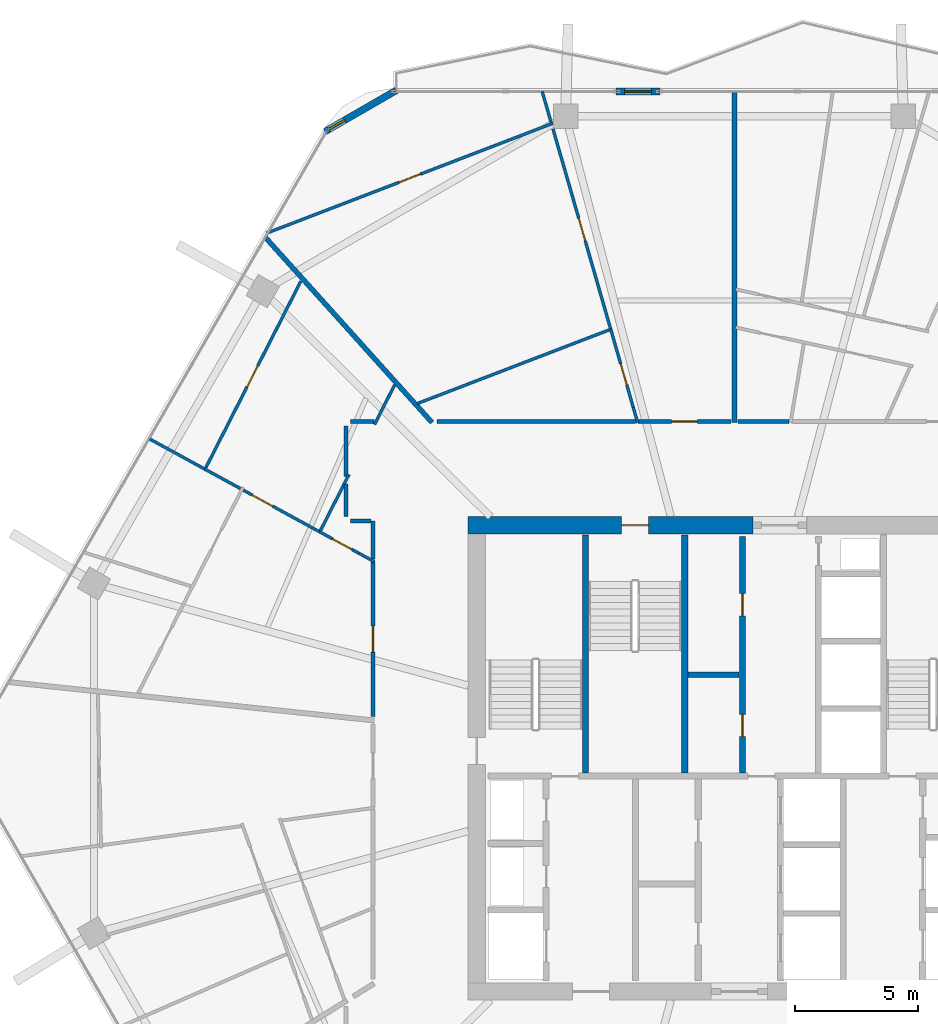
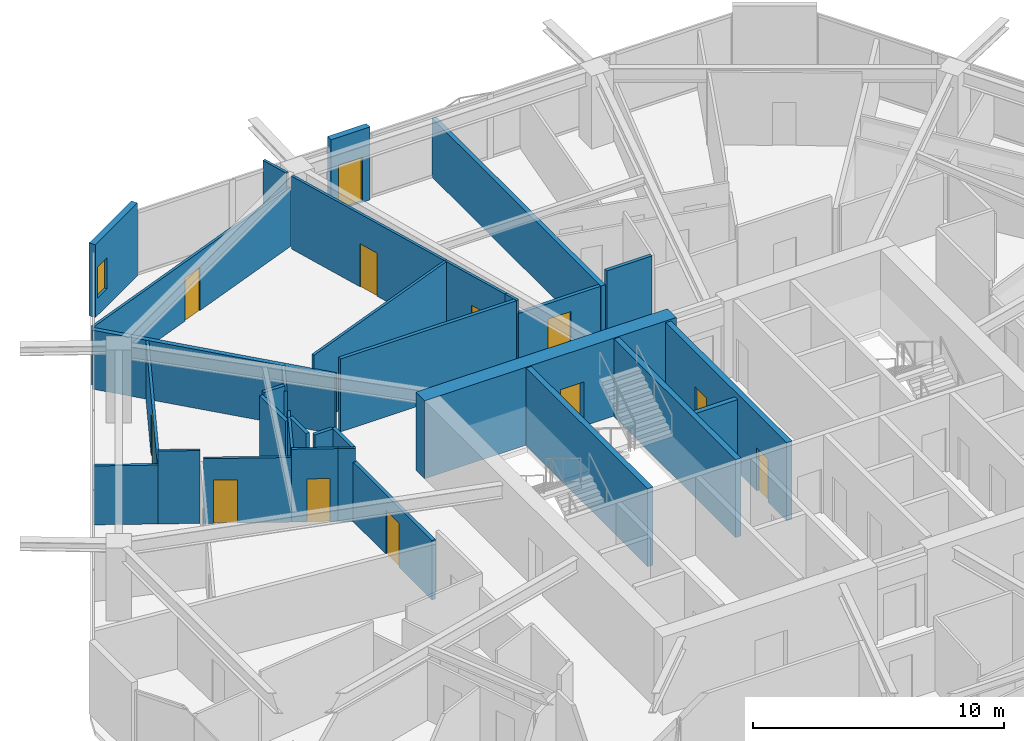
# One storey, part 20 of 25: 32 walls, 12 doors, 1 window, 13 openings.
"""IFC4 building model written with IfcOpenShell, lengths in metres."""

from ifc_helpers import new_model, si_unit, direction, frame, frame_2d, origin, place, context, subcontext, project, spatial, rectangle, extrude, material, layer, layer_set, type_object, element, fill, save


model = new_model("IFC4")

# Units and contexts
model_context = context("Model", 3, precision=1e-05, world=origin(), true_north=direction((0.0, 1.0)))
body_context = subcontext(model_context, "Body", "Model", "MODEL_VIEW")
ifc_project = project(units=[si_unit("LENGTHUNIT", "METRE"), si_unit("AREAUNIT", "SQUARE_METRE"), si_unit("VOLUMEUNIT", "CUBIC_METRE"), si_unit("PLANEANGLEUNIT", "RADIAN"), si_unit("MASSUNIT", "GRAM", prefix="KILO")], contexts=[model_context])

# Site, building, storey
site_placement = place(None, origin())
site = spatial("IfcSite", under=ifc_project, at=site_placement, CompositionType="ELEMENT")
building_placement = place(site_placement, origin())
building = spatial("IfcBuilding", under=site, at=building_placement, Name="Zuhravey Tower", CompositionType="ELEMENT")
storey_placement = place(building_placement, frame((0.0, 0.0, 150.39990234375)))
storey = spatial("IfcBuildingStorey", under=building, at=storey_placement, Name="L37", CompositionType="ELEMENT", Elevation=150.39990234375)

# Wall, opening, door
ifc_material_1 = material(Name="Concrete C60/75", Category="concrete")
ifc_layer_1 = layer(ifc_material_1, 0.699951171875)
ifc_layer_set_1 = layer_set([ifc_layer_1], Name="Concrete C60/75")
wall_type_1 = type_object("IfcWallType", Name="Core Shear Wall 700", PredefinedType="SHEAR", material=ifc_layer_set_1)
wall_1_placement = place(storey_placement, frame((36.75, 41.5, 0.0), z_axis=(0.0, 0.0, 1.0), x_axis=(-1.0, 0.0, 0.0)))
wall_1 = element("IfcWall", 1, at=wall_1_placement, inside=storey, type_object=wall_type_1, Name="L37 North-West Core Shear Wall CW70", PredefinedType="SHEAR", context=body_context, shape_type="SweptSolid", body=[
    extrude(rectangle(XDim=11.60009765625, YDim=0.699951171875, at=frame_2d((5.800048828125, 0.0))), origin(), (0.0, 0.0, 1.0), 3.800048828125),
])
opening_1_placement = place(wall_1_placement, frame((4.25, 0.0, 0.0)))
opening_1 = element("IfcOpeningElement", 2, at=opening_1_placement, cuts=wall_1, Name="Opening STD1", PredefinedType="OPENING", context=body_context, shape_type="SweptSolid", body=[
    extrude(rectangle(XDim=1.10009765625, YDim=2.14990234375, at=frame_2d((0.550048828125, 1.074951171875))), frame((0.0, 0.362060546875, 0.0), z_axis=(0.0, -1.0, 0.0), x_axis=(1.0, 0.0, 0.0)), (0.0, 0.0, 1.0), 0.723876953125),
])
ifc_material_2 = material(Name="Galvanised fire-rated steel leaf", Category="steel")
door_type_1 = type_object("IfcDoorType", Name="Protected Stair Fire Door 1100x2150", OperationType="NOTDEFINED", PredefinedType="USERDEFINED", material=ifc_material_2)
door_1_placement = place(opening_1_placement, origin())
door_1 = element("IfcDoor", 3, at=door_1_placement, inside=storey, type_object=door_type_1, Name="L37 Stair ST3 Door", ObjectType="EXITDOOR", OperationType="SINGLE_SWING_LEFT", OverallHeight=2.14990234375, OverallWidth=1.10009765625, PredefinedType="USERDEFINED", context=body_context, shape_type="SweptSolid", body=[
    extrude(rectangle(XDim=1.10009765625, YDim=2.14990234375, at=frame_2d((0.550048828125, 1.074951171875))), frame((0.0, 0.02490234375, 0.0), z_axis=(0.0, -1.0, 0.0), x_axis=(1.0, 0.0, 0.0)), (0.0, 0.0, 1.0), 0.050048828125),
])
fill(opening_1, door_1)

ifc_material_3 = material(Name="Gypsum fire-rated stud partition")
ifc_layer_2 = layer(ifc_material_3, 0.159912109375)
ifc_layer_set_2 = layer_set([ifc_layer_2], Name="Gypsum fire-rated stud partition")
wall_type_2 = type_object("IfcWallType", Name="Corridor Fire Partition 160", PredefinedType="PARTITIONING", material=ifc_layer_set_2)
wall_2_placement = place(storey_placement, frame((35.860107421875, 45.72998046875, 0.0), z_axis=(0.0, 0.0, 1.0), x_axis=(-1.0, 0.0, 0.0)))
wall_2 = element("IfcWall", 4, at=wall_2_placement, inside=storey, type_object=wall_type_2, Name="L37 IW16 Partition 031", PredefinedType="PARTITIONING", context=body_context, shape_type="SweptSolid", body=[
    extrude(rectangle(XDim=3.797119140625, YDim=0.159912109375, at=frame_2d((1.8984375, 0.0))), origin(), (0.0, 0.0, 1.0), 2.900146484375),
])
opening_2_placement = place(wall_2_placement, frame((1.37353515625, 0.0, 0.0)))
opening_2 = element("IfcOpeningElement", 5, at=opening_2_placement, cuts=wall_2, Name="Opening APD1", PredefinedType="OPENING", context=body_context, shape_type="SweptSolid", body=[
    extrude(rectangle(XDim=1.050048828125, YDim=2.14990234375, at=frame_2d((0.52490234375, 1.074951171875))), frame((0.0, 0.092041015625, 0.0), z_axis=(0.0, -1.0, 0.0), x_axis=(1.0, 0.0, 0.0)), (0.0, 0.0, 1.0), 0.183837890625),
])
ifc_material_4 = material(Name="Solid-core oak fire-rated leaf")
door_type_2 = type_object("IfcDoorType", Name="Apartment Entrance Fire Door 1050x2150", OperationType="NOTDEFINED", PredefinedType="DOOR", material=ifc_material_4)
door_2_placement = place(opening_2_placement, frame((1.050048828125, 0.0, 0.0), z_axis=(0.0, 0.0, 1.0), x_axis=(-1.0, 0.0, 0.0)))
door_2 = element("IfcDoor", 6, at=door_2_placement, inside=storey, type_object=door_type_2, Name="L37 Door 031.1", OperationType="SINGLE_SWING_RIGHT", OverallHeight=2.14990234375, OverallWidth=1.050048828125, PredefinedType="DOOR", context=body_context, shape_type="SweptSolid", body=[
    extrude(rectangle(XDim=1.050048828125, YDim=2.14990234375, at=frame_2d((0.52490234375, 1.074951171875))), frame((0.0, 0.02490234375, 0.0), z_axis=(0.0, -1.0, 0.0), x_axis=(1.0, 0.0, 0.0)), (0.0, 0.0, 1.0), 0.050048828125),
])
fill(opening_2, door_2)

wall_3_placement = place(storey_placement, frame((21.27001953125, 40.021484375, 0.0), z_axis=(0.0, 0.0, 1.0), x_axis=(0.0, -1.0, 0.0)))
wall_3 = element("IfcWall", 7, at=wall_3_placement, inside=storey, type_object=wall_type_2, Name="L37 IW16 Partition 037", PredefinedType="PARTITIONING", context=body_context, shape_type="SweptSolid", body=[
    extrude(rectangle(XDim=6.322998046875, YDim=0.159912109375, at=frame_2d((3.16162109375, 0.0))), origin(), (0.0, 0.0, 1.0), 2.900146484375),
])
opening_3_placement = place(wall_3_placement, frame((2.63671875, 0.0, 0.0)))
opening_3 = element("IfcOpeningElement", 8, at=opening_3_placement, cuts=wall_3, Name="Opening APD1", PredefinedType="OPENING", context=body_context, shape_type="SweptSolid", body=[
    extrude(rectangle(XDim=1.050048828125, YDim=2.14990234375, at=frame_2d((0.52490234375, 1.074951171875))), frame((0.0, 0.092041015625, 0.0), z_axis=(0.0, -1.0, 0.0), x_axis=(1.0, 0.0, 0.0)), (0.0, 0.0, 1.0), 0.183837890625),
])
door_3_placement = place(opening_3_placement, frame((1.050048828125, 0.0, 0.0), z_axis=(0.0, 0.0, 1.0), x_axis=(-1.0, 0.0, 0.0)))
door_3 = element("IfcDoor", 9, at=door_3_placement, inside=storey, type_object=door_type_2, Name="L37 Door 037.1", OperationType="SINGLE_SWING_RIGHT", OverallHeight=2.14990234375, OverallWidth=1.050048828125, PredefinedType="DOOR", context=body_context, shape_type="SweptSolid", body=[
    extrude(rectangle(XDim=1.050048828125, YDim=2.14990234375, at=frame_2d((0.52490234375, 1.074951171875))), frame((0.0, 0.02490234375, 0.0), z_axis=(0.0, -1.0, 0.0), x_axis=(1.0, 0.0, 0.0)), (0.0, 0.0, 1.0), 0.050048828125),
])
fill(opening_3, door_3)

# Walls
wall_4_placement = place(storey_placement, frame((38.228271484375, 45.72998046875, 0.0), z_axis=(0.0, 0.0, 1.0), x_axis=(-1.0, 0.0, 0.0)))
element("IfcWall", 10, at=wall_4_placement, inside=storey, type_object=wall_type_2, Name="L37 IW16 Partition 116", PredefinedType="PARTITIONING", context=body_context, shape_type="SweptSolid", body=[
    extrude(rectangle(XDim=2.08837890625, YDim=0.159912109375, at=frame_2d((1.044189453125, 0.0))), origin(), (0.0, 0.0, 1.0), 3.550048828125),
])
wall_5_placement = place(storey_placement, frame((31.971435546875, 45.72998046875, 0.0), z_axis=(0.0, 0.0, 1.0), x_axis=(-1.0, 0.0, 0.0)))
element("IfcWall", 11, at=wall_5_placement, inside=storey, type_object=wall_type_2, Name="L37 IW16 Partition 117", PredefinedType="PARTITIONING", context=body_context, shape_type="SweptSolid", body=[
    extrude(rectangle(XDim=8.092041015625, YDim=0.159912109375, at=frame_2d((4.0458984375, 0.0))), origin(), (0.0, 0.0, 1.0), 3.550048828125),
])
wall_6_placement = place(storey_placement, frame((21.27001953125, 41.669921875, 0.0), z_axis=(0.0, 0.0, 1.0), x_axis=(0.0, -1.0, 0.0)))
element("IfcWall", 12, at=wall_6_placement, inside=storey, type_object=wall_type_2, Name="L37 IW16 Partition 118", PredefinedType="PARTITIONING", context=body_context, shape_type="SweptSolid", body=[
    extrude(rectangle(XDim=1.548095703125, YDim=0.159912109375, at=frame_2d((0.77392578125, 0.0))), origin(), (0.0, 0.0, 1.0), 3.550048828125),
])
wall_7_placement = place(storey_placement, frame((20.169921875, 43.1865234375, 0.0), z_axis=(0.0, 0.0, 1.0), x_axis=(0.0, -1.0, 0.0)))
element("IfcWall", 13, at=wall_7_placement, inside=storey, type_object=wall_type_2, Name="L37 IW16 Partition 119", PredefinedType="PARTITIONING", context=body_context, shape_type="SweptSolid", body=[
    extrude(rectangle(XDim=1.33642578125, YDim=0.159912109375, at=frame_2d((0.668212890625, 0.0))), origin(), (0.0, 0.0, 1.0), 3.550048828125),
])
wall_8_placement = place(storey_placement, frame((20.35009765625, 41.669921875, 0.0), z_axis=(0.0, 0.0, 1.0), x_axis=(1.0, 0.0, 0.0)))
element("IfcWall", 14, at=wall_8_placement, inside=storey, type_object=wall_type_2, Name="L37 IW16 Partition 120", PredefinedType="PARTITIONING", context=body_context, shape_type="SweptSolid", body=[
    extrude(rectangle(XDim=0.831787109375, YDim=0.159912109375, at=frame_2d((0.416015625, 0.0))), origin(), (0.0, 0.0, 1.0), 3.550048828125),
])
wall_9_placement = place(storey_placement, frame((20.169921875, 45.550048828125, 0.0), z_axis=(0.0, 0.0, 1.0), x_axis=(0.0, -1.0, 0.0)))
element("IfcWall", 15, at=wall_9_placement, inside=storey, type_object=wall_type_2, Name="L37 IW16 Partition 121", PredefinedType="PARTITIONING", context=body_context, shape_type="SweptSolid", body=[
    extrude(rectangle(XDim=2.06396484375, YDim=0.159912109375, at=frame_2d((1.031982421875, 0.0))), origin(), (0.0, 0.0, 1.0), 3.150146484375),
])
wall_10_placement = place(storey_placement, frame((21.313232421875, 45.72998046875, 0.0), z_axis=(0.0, 0.0, 1.0), x_axis=(-1.0, 0.0, 0.0)))
element("IfcWall", 16, at=wall_10_placement, inside=storey, type_object=wall_type_2, Name="L37 IW16 Partition 122", PredefinedType="PARTITIONING", context=body_context, shape_type="SweptSolid", body=[
    extrude(rectangle(XDim=0.963134765625, YDim=0.159912109375, at=frame_2d((0.4814453125, 0.0))), origin(), (0.0, 0.0, 1.0), 3.150146484375),
])

# Wall, opening, window
ifc_material_5 = material(Name="Precast concrete C40/50", Category="concrete")
ifc_layer_3 = layer(ifc_material_5, 0.280029296875)
ifc_layer_set_3 = layer_set([ifc_layer_3], Name="Precast concrete C40/50")
wall_type_3 = type_object("IfcWallType", Name="Crown Architectural Wall 280", PredefinedType="SOLIDWALL", material=ifc_layer_set_3)
wall_11_placement = place(storey_placement, frame((19.306884765625, 57.548095703125, 0.0), z_axis=(0.0, 0.0, 1.0), x_axis=(0.866020068361, 0.500009241111, 0.0)))
wall_11 = element("IfcWall", 17, at=wall_11_placement, inside=storey, type_object=wall_type_3, Name="L37 Rounded Corner Closure Wall EW28-08", PredefinedType="SOLIDWALL", context=body_context, shape_type="SweptSolid", body=[
    extrude(rectangle(XDim=3.365234375, YDim=0.280029296875, at=frame_2d((1.6826171875, 0.0))), origin(), (0.0, 0.0, 1.0), 3.550048828125),
])
opening_4_placement = place(wall_11_placement, frame((0.17919921875, 0.0, 0.85009765625)))
opening_4 = element("IfcOpeningElement", 18, at=opening_4_placement, cuts=wall_11, Name="Opening WN5", PredefinedType="OPENING", context=body_context, shape_type="SweptSolid", body=[
    extrude(rectangle(XDim=0.75, YDim=1.5, at=frame_2d((0.375, 0.75))), frame((0.0, 0.152099609375, 0.0), z_axis=(0.0, -1.0, 0.0), x_axis=(1.0, 0.0, 0.0)), (0.0, 0.0, 1.0), 0.303955078125),
])
ifc_material_6 = material(Name="Thermally broken aluminium and triple low-E glass", Category="aluminium")
window_type = type_object("IfcWindowType", Name="Residential Corner Casement Window 750x1500", PartitioningType="SINGLE_PANEL", PredefinedType="WINDOW", material=ifc_material_6)
window_placement = place(opening_4_placement, origin())
window = element("IfcWindow", 19, at=window_placement, inside=storey, type_object=window_type, Name="L37 Corner Casement Window WN5-08.1", OverallHeight=1.5, OverallWidth=0.75, PartitioningType="SINGLE_PANEL", PredefinedType="WINDOW", context=body_context, shape_type="SweptSolid", body=[
    extrude(rectangle(XDim=0.75, YDim=1.5, at=frame_2d((0.375, 0.75))), frame((0.0, 0.030029296875, 0.0), z_axis=(0.0, -1.0, 0.0), x_axis=(1.0, 0.0, 0.0)), (0.0, 0.0, 1.0), 0.06005859375),
])
fill(opening_4, window)

# Wall, opening, door
wall_12_placement = place(storey_placement, frame((31.17578125, 59.18310546875, 0.0), z_axis=(0.0, 0.0, 1.0), x_axis=(1.0, 0.0, 0.0)))
wall_12 = element("IfcWall", 20, at=wall_12_placement, inside=storey, type_object=wall_type_3, Name="L37 Face 2 Facade Pier EW28-1", PredefinedType="SOLIDWALL", context=body_context, shape_type="SweptSolid", body=[
    extrude(rectangle(XDim=1.7900390625, YDim=0.280029296875, at=frame_2d((0.89501953125, 0.0))), origin(), (0.0, 0.0, 1.0), 3.550048828125),
])
opening_5_placement = place(wall_12_placement, frame((0.344970703125, 0.0, 0.0)))
opening_5 = element("IfcOpeningElement", 21, at=opening_5_placement, cuts=wall_12, Name="Opening BLD1", PredefinedType="OPENING", context=body_context, shape_type="SweptSolid", body=[
    extrude(rectangle(XDim=1.10009765625, YDim=2.199951171875, at=frame_2d((0.550048828125, 1.10009765625))), frame((0.0, 0.152099609375, 0.0), z_axis=(0.0, -1.0, 0.0), x_axis=(1.0, 0.0, 0.0)), (0.0, 0.0, 1.0), 0.303955078125),
])
ifc_material_7 = material(Name="Thermally broken aluminium and low-E glass", Category="aluminium")
door_type_3 = type_object("IfcDoorType", Name="Balcony & Sky-Tray Glazed Door 1100x2200", OperationType="NOTDEFINED", PredefinedType="DOOR", material=ifc_material_7)
door_4_placement = place(opening_5_placement, frame((1.10009765625, 0.0, 0.0), z_axis=(0.0, 0.0, 1.0), x_axis=(-1.0, 0.0, 0.0)))
door_4 = element("IfcDoor", 22, at=door_4_placement, inside=storey, type_object=door_type_3, Name="L37 Face 2 Wave Balcony Door", OperationType="SINGLE_SWING_RIGHT", OverallHeight=2.199951171875, OverallWidth=1.10009765625, PredefinedType="DOOR", context=body_context, shape_type="SweptSolid", body=[
    extrude(rectangle(XDim=1.10009765625, YDim=2.199951171875, at=frame_2d((0.550048828125, 1.10009765625))), frame((0.0, 0.02490234375, 0.0), z_axis=(0.0, -1.0, 0.0), x_axis=(1.0, 0.0, 0.0)), (0.0, 0.0, 1.0), 0.050048828125),
])
fill(opening_5, door_4)

# Walls
ifc_material_8 = material(Name="Concrete C50/60", Category="concrete")
ifc_layer_4 = layer(ifc_material_8, 0.25)
ifc_layer_set_4 = layer_set([ifc_layer_4], Name="Concrete C50/60")
wall_type_4 = type_object("IfcWallType", Name="Firefighting Shaft & Stair Wall 250", PredefinedType="SOLIDWALL", material=ifc_layer_set_4)
for number, where, z_axis, x_axis, name in (
    (23, (29.925048828125, 31.39990234375, 0.0), (0.0, 0.0, 1.0), (0.0, 1.0, 0.0), "L37 FW25 Shaft Wall 004"),
    (24, (33.97509765625, 31.39990234375, 0.0), (0.0, 0.0, 1.0), (0.0, 1.0, 0.0), "L37 FW25 Shaft Wall 005"),
):
    element("IfcWall", number, at=place(storey_placement, frame(where, z_axis=z_axis, x_axis=x_axis)), inside=storey, type_object=wall_type_4, Name=name, PredefinedType="SOLIDWALL", context=body_context, shape_type="SweptSolid", body=[
        extrude(rectangle(XDim=9.7001953125, YDim=0.25, at=frame_2d((4.85009765625, 0.0))), origin(), (0.0, 0.0, 1.0), 3.800048828125),
    ])

# Wall, openings, doors
wall_13_placement = place(storey_placement, frame((36.324951171875, 31.39990234375, 0.0), z_axis=(0.0, 0.0, 1.0), x_axis=(0.0, 1.0, 0.0)))
wall_13 = element("IfcWall", 25, at=wall_13_placement, inside=storey, type_object=wall_type_4, Name="L37 FW25 Shaft Wall 007", PredefinedType="SOLIDWALL", context=body_context, shape_type="SweptSolid", body=[
    extrude(rectangle(XDim=9.650146484375, YDim=0.25, at=frame_2d((4.8251953125, 0.0))), origin(), (0.0, 0.0, 1.0), 3.800048828125),
])
opening_6_placement = place(wall_13_placement, frame((1.489990234375, 0.0, 0.0)))
opening_6 = element("IfcOpeningElement", 26, at=opening_6_placement, cuts=wall_13, Name="Opening RSD1", PredefinedType="OPENING", context=body_context, shape_type="SweptSolid", body=[
    extrude(rectangle(XDim=0.89990234375, YDim=2.10009765625, at=frame_2d((0.449951171875, 1.050048828125))), frame((0.0, 0.136962890625, 0.0), z_axis=(0.0, -1.0, 0.0), x_axis=(1.0, 0.0, 0.0)), (0.0, 0.0, 1.0), 0.27392578125),
])
opening_7_placement = place(wall_13_placement, frame((6.409912109375, 0.0, 0.0)))
opening_7 = element("IfcOpeningElement", 27, at=opening_7_placement, cuts=wall_13, Name="Opening RSD1", PredefinedType="OPENING", context=body_context, shape_type="SweptSolid", body=[
    extrude(rectangle(XDim=0.89990234375, YDim=2.10009765625, at=frame_2d((0.449951171875, 1.050048828125))), frame((0.0, 0.136962890625, 0.0), z_axis=(0.0, -1.0, 0.0), x_axis=(1.0, 0.0, 0.0)), (0.0, 0.0, 1.0), 0.27392578125),
])
ifc_material_9 = material(Name="Galvanised fire-rated steel access leaf", Category="steel")
door_type_4 = type_object("IfcDoorType", Name="Riser & Shaft Access Fire Door 900x2100", OperationType="NOTDEFINED", PredefinedType="DOOR", material=ifc_material_9)
door_5_placement = place(opening_6_placement, origin())
door_5 = element("IfcDoor", 28, at=door_5_placement, inside=storey, type_object=door_type_4, Name="L37 Core Cleaner Store Door", OperationType="SINGLE_SWING_LEFT", OverallHeight=2.10009765625, OverallWidth=0.89990234375, PredefinedType="DOOR", context=body_context, shape_type="SweptSolid", body=[
    extrude(rectangle(XDim=0.89990234375, YDim=2.10009765625, at=frame_2d((0.449951171875, 1.050048828125))), frame((0.0, 0.02490234375, 0.0), z_axis=(0.0, -1.0, 0.0), x_axis=(1.0, 0.0, 0.0)), (0.0, 0.0, 1.0), 0.050048828125),
])
fill(opening_6, door_5)
door_6_placement = place(opening_7_placement, origin())
door_6 = element("IfcDoor", 29, at=door_6_placement, inside=storey, type_object=door_type_4, Name="L37 Core Pantry and Tea Room Door", OperationType="SINGLE_SWING_RIGHT", OverallHeight=2.10009765625, OverallWidth=0.89990234375, PredefinedType="DOOR", context=body_context, shape_type="SweptSolid", body=[
    extrude(rectangle(XDim=0.89990234375, YDim=2.10009765625, at=frame_2d((0.449951171875, 1.050048828125))), frame((0.0, 0.02490234375, 0.0), z_axis=(0.0, -1.0, 0.0), x_axis=(1.0, 0.0, 0.0)), (0.0, 0.0, 1.0), 0.050048828125),
])
fill(opening_7, door_6)

# Walls
ifc_material_10 = material(Name="Gypsum double-stud party assembly")
ifc_layer_5 = layer(ifc_material_10, 0.199951171875)
ifc_layer_set_5 = layer_set([ifc_layer_5], Name="Gypsum double-stud party assembly")
wall_type_5 = type_object("IfcWallType", Name="Inter-Tenancy Party Wall 200", PredefinedType="PARTITIONING", material=ifc_layer_set_5)
wall_14_placement = place(storey_placement, frame((36.0, 45.68994140625, 0.0), z_axis=(0.0, 0.0, 1.0), x_axis=(0.0, 1.0, 0.0)))
element("IfcWall", 30, at=wall_14_placement, inside=storey, type_object=wall_type_5, Name="L37 IW20 Partition 075", PredefinedType="PARTITIONING", context=body_context, shape_type="SweptSolid", body=[
    extrude(rectangle(XDim=13.4931640625, YDim=0.199951171875, at=frame_2d((6.74658203125, 0.0))), origin(), (0.0, 0.0, 1.0), 2.8701171875),
])
wall_15_placement = place(storey_placement, frame((23.673583984375, 45.68994140625, 0.0), z_axis=(0.0, 0.0, 1.0), x_axis=(-0.669133315117, 0.743142386492, 0.0)))
element("IfcWall", 31, at=wall_15_placement, inside=storey, type_object=wall_type_5, Name="L37 IW20 Partition 079", PredefinedType="PARTITIONING", context=body_context, shape_type="SweptSolid", body=[
    extrude(rectangle(XDim=10.160400390625, YDim=0.199951171875, at=frame_2d((5.080078125, 0.0))), origin(), (0.0, 0.0, 1.0), 2.8701171875),
])
ifc_material_11 = material(Name="Gypsum acoustic stud assembly")
ifc_layer_6 = layer(ifc_material_11, 0.219970703125)
ifc_layer_set_6 = layer_set([ifc_layer_6], Name="Gypsum acoustic stud assembly")
wall_type_6 = type_object("IfcWallType", Name="School Acoustic Compartment Wall 220", PredefinedType="PARTITIONING", material=ifc_layer_set_6)
wall_16_placement = place(storey_placement, frame((34.10791015625, 35.39990234375, 0.0), z_axis=(0.0, 0.0, 1.0), x_axis=(1.0, 0.0, 0.0)))
element("IfcWall", 32, at=wall_16_placement, inside=storey, type_object=wall_type_6, Name="L37 IW22 Partition 056", PredefinedType="PARTITIONING", context=body_context, shape_type="SweptSolid", body=[
    extrude(rectangle(XDim=2.083984375, YDim=0.219970703125, at=frame_2d((1.0419921875, 0.0))), origin(), (0.0, 0.0, 1.0), 3.550048828125),
])

# Wall, opening, door
ifc_material_12 = material(Name="Gypsum metal-stud partition")
ifc_layer_7 = layer(ifc_material_12, 0.1201171875)
ifc_layer_set_7 = layer_set([ifc_layer_7], Name="Gypsum metal-stud partition")
wall_type_7 = type_object("IfcWallType", Name="Unit Internal Partition 120", PredefinedType="PARTITIONING", material=ifc_layer_set_7)
wall_17_placement = place(storey_placement, frame((31.8779296875, 46.300048828125, 0.0), z_axis=(0.0, 0.0, 1.0), x_axis=(-0.276948054291, 0.960884891766, 0.0)))
wall_17 = element("IfcWall", 33, at=wall_17_placement, inside=storey, type_object=wall_type_7, Name="L37 IW12 Partition 028", PredefinedType="PARTITIONING", context=body_context, shape_type="SweptSolid", body=[
    extrude(rectangle(XDim=3.34375, YDim=0.1201171875, at=frame_2d((1.671875, 0.0))), origin(), (0.0, 0.0, 1.0), 3.550048828125),
])
opening_8_placement = place(wall_17_placement, frame((0.954345703125, 0.0, 0.0)))
opening_8 = element("IfcOpeningElement", 34, at=opening_8_placement, cuts=wall_17, Name="Opening WCD1", PredefinedType="OPENING", context=body_context, shape_type="SweptSolid", body=[
    extrude(rectangle(XDim=0.89990234375, YDim=2.10009765625, at=frame_2d((0.449951171875, 1.050048828125))), frame((0.0, 0.072021484375, 0.0), z_axis=(0.0, -1.0, 0.0), x_axis=(1.0, 0.0, 0.0)), (0.0, 0.0, 1.0), 0.14404296875),
])
ifc_material_13 = material(Name="Moisture-resistant timber leaf", Category="wood")
door_type_5 = type_object("IfcDoorType", Name="Bathroom & WC Internal Door 900x2100", OperationType="NOTDEFINED", PredefinedType="DOOR", material=ifc_material_13)
door_7_placement = place(opening_8_placement, origin())
door_7 = element("IfcDoor", 35, at=door_7_placement, inside=storey, type_object=door_type_5, Name="Apartment L37-03 Bathroom Door", OperationType="SINGLE_SWING_LEFT", OverallHeight=2.10009765625, OverallWidth=0.89990234375, PredefinedType="DOOR", context=body_context, shape_type="SweptSolid", body=[
    extrude(rectangle(XDim=0.89990234375, YDim=2.10009765625, at=frame_2d((0.449951171875, 1.050048828125))), frame((0.0, 0.02490234375, 0.0), z_axis=(0.0, -1.0, 0.0), x_axis=(1.0, 0.0, 0.0)), (0.0, 0.0, 1.0), 0.050048828125),
])
fill(opening_8, door_7)

wall_18_placement = place(storey_placement, frame((30.95166015625, 49.512939453125, 0.0), z_axis=(0.0, 0.0, 1.0), x_axis=(-0.276962142179, 0.960880831217, 0.0)))
wall_18 = element("IfcWall", 36, at=wall_18_placement, inside=storey, type_object=wall_type_7, Name="L37 IW12 Partition 029", PredefinedType="PARTITIONING", context=body_context, shape_type="SweptSolid", body=[
    extrude(rectangle(XDim=8.471923828125, YDim=0.1201171875, at=frame_2d((4.23583984375, 0.0))), origin(), (0.0, 0.0, 1.0), 3.550048828125),
])
opening_9_placement = place(wall_18_placement, frame((3.736083984375, 0.0, 0.0)))
opening_9 = element("IfcOpeningElement", 37, at=opening_9_placement, cuts=wall_18, Name="Opening IND1", PredefinedType="OPENING", context=body_context, shape_type="SweptSolid", body=[
    extrude(rectangle(XDim=0.949951171875, YDim=2.10009765625, at=frame_2d((0.47509765625, 1.050048828125))), frame((0.0, 0.072021484375, 0.0), z_axis=(0.0, -1.0, 0.0), x_axis=(1.0, 0.0, 0.0)), (0.0, 0.0, 1.0), 0.14404296875),
])
ifc_material_14 = material(Name="Painted engineered timber leaf", Category="wood")
door_type_6 = type_object("IfcDoorType", Name="Internal Room & Bedroom Door 950x2100", OperationType="NOTDEFINED", PredefinedType="DOOR", material=ifc_material_14)
door_8_placement = place(opening_9_placement, origin())
door_8 = element("IfcDoor", 38, at=door_8_placement, inside=storey, type_object=door_type_6, Name="Apartment L37-03 Home Office Door", OperationType="SINGLE_SWING_RIGHT", OverallHeight=2.10009765625, OverallWidth=0.949951171875, PredefinedType="DOOR", context=body_context, shape_type="SweptSolid", body=[
    extrude(rectangle(XDim=0.949951171875, YDim=2.10009765625, at=frame_2d((0.47509765625, 1.050048828125))), frame((0.0, 0.02490234375, 0.0), z_axis=(0.0, -1.0, 0.0), x_axis=(1.0, 0.0, 0.0)), (0.0, 0.0, 1.0), 0.050048828125),
])
fill(opening_9, door_8)

wall_19_placement = place(storey_placement, frame((28.597900390625, 57.886474609375, 0.0), z_axis=(0.0, 0.0, 1.0), x_axis=(-0.933574508077, -0.358383367177, 0.0)))
wall_19 = element("IfcWall", 39, at=wall_19_placement, inside=storey, type_object=wall_type_7, Name="L37 IW12 Partition 030", PredefinedType="PARTITIONING", context=body_context, shape_type="SweptSolid", body=[
    extrude(rectangle(XDim=12.4970703125, YDim=0.1201171875, at=frame_2d((6.24853515625, 0.0))), origin(), (0.0, 0.0, 1.0), 2.8701171875),
])
opening_10_placement = place(wall_19_placement, frame((5.7734375, 0.0, 0.0)))
opening_10 = element("IfcOpeningElement", 40, at=opening_10_placement, cuts=wall_19, Name="Opening IND1", PredefinedType="OPENING", context=body_context, shape_type="SweptSolid", body=[
    extrude(rectangle(XDim=0.949951171875, YDim=2.10009765625, at=frame_2d((0.47509765625, 1.050048828125))), frame((0.0, 0.072021484375, 0.0), z_axis=(0.0, -1.0, 0.0), x_axis=(1.0, 0.0, 0.0)), (0.0, 0.0, 1.0), 0.14404296875),
])
door_9_placement = place(opening_10_placement, frame((0.949951171875, 0.0, 0.0), z_axis=(0.0, 0.0, 1.0), x_axis=(-1.0, 0.0, 0.0)))
door_9 = element("IfcDoor", 41, at=door_9_placement, inside=storey, type_object=door_type_6, Name="Apartment L37-03 Bedroom 1 Door", OperationType="SINGLE_SWING_LEFT", OverallHeight=2.10009765625, OverallWidth=0.949951171875, PredefinedType="DOOR", context=body_context, shape_type="SweptSolid", body=[
    extrude(rectangle(XDim=0.949951171875, YDim=2.10009765625, at=frame_2d((0.47509765625, 1.050048828125))), frame((0.0, 0.02490234375, 0.0), z_axis=(0.0, -1.0, 0.0), x_axis=(1.0, 0.0, 0.0)), (0.0, 0.0, 1.0), 0.050048828125),
])
fill(opening_10, door_9)

wall_20_placement = place(storey_placement, frame((20.699951171875, 40.355712890625, 0.0), z_axis=(0.0, 0.0, 1.0), x_axis=(-0.877673715659, 0.479258645035, 0.0)))
wall_20 = element("IfcWall", 42, at=wall_20_placement, inside=storey, type_object=wall_type_7, Name="L37 IW12 Partition 033", PredefinedType="PARTITIONING", context=body_context, shape_type="SweptSolid", body=[
    extrude(rectangle(XDim=1.851318359375, YDim=0.1201171875, at=frame_2d((0.92578125, 0.0))), origin(), (0.0, 0.0, 1.0), 3.550048828125),
])
opening_11_placement = place(wall_20_placement, frame((0.327392578125, 0.0, 0.0)))
opening_11 = element("IfcOpeningElement", 43, at=opening_11_placement, cuts=wall_20, Name="Opening WCD1", PredefinedType="OPENING", context=body_context, shape_type="SweptSolid", body=[
    extrude(rectangle(XDim=0.89990234375, YDim=2.10009765625, at=frame_2d((0.449951171875, 1.050048828125))), frame((0.0, 0.072021484375, 0.0), z_axis=(0.0, -1.0, 0.0), x_axis=(1.0, 0.0, 0.0)), (0.0, 0.0, 1.0), 0.14404296875),
])
door_10_placement = place(opening_11_placement, frame((0.89990234375, 0.0, 0.0), z_axis=(0.0, 0.0, 1.0), x_axis=(-1.0, 0.0, 0.0)))
door_10 = element("IfcDoor", 44, at=door_10_placement, inside=storey, type_object=door_type_5, Name="Apartment L37-04 Bathroom Door", OperationType="SINGLE_SWING_LEFT", OverallHeight=2.10009765625, OverallWidth=0.89990234375, PredefinedType="DOOR", context=body_context, shape_type="SweptSolid", body=[
    extrude(rectangle(XDim=0.89990234375, YDim=2.10009765625, at=frame_2d((0.449951171875, 1.050048828125))), frame((0.0, 0.02490234375, 0.0), z_axis=(0.0, -1.0, 0.0), x_axis=(1.0, 0.0, 0.0)), (0.0, 0.0, 1.0), 0.050048828125),
])
fill(opening_11, door_10)

wall_21_placement = place(storey_placement, frame((19.0751953125, 41.242919921875, 0.0), z_axis=(0.0, 0.0, 1.0), x_axis=(-0.877641033672, 0.479318491209, 0.0)))
wall_21 = element("IfcWall", 45, at=wall_21_placement, inside=storey, type_object=wall_type_7, Name="L37 IW12 Partition 034", PredefinedType="PARTITIONING", context=body_context, shape_type="SweptSolid", body=[
    extrude(rectangle(XDim=3.5205078125, YDim=0.1201171875, at=frame_2d((1.76025390625, 0.0))), origin(), (0.0, 0.0, 1.0), 3.150146484375),
])
opening_12_placement = place(wall_21_placement, frame((2.1640625, 0.0, 0.0)))
opening_12 = element("IfcOpeningElement", 46, at=opening_12_placement, cuts=wall_21, Name="Opening IND1", PredefinedType="OPENING", context=body_context, shape_type="SweptSolid", body=[
    extrude(rectangle(XDim=0.949951171875, YDim=2.10009765625, at=frame_2d((0.47509765625, 1.050048828125))), frame((0.0, 0.072021484375, 0.0), z_axis=(0.0, -1.0, 0.0), x_axis=(1.0, 0.0, 0.0)), (0.0, 0.0, 1.0), 0.14404296875),
])
door_11_placement = place(opening_12_placement, frame((0.949951171875, 0.0, 0.0), z_axis=(0.0, 0.0, 1.0), x_axis=(-1.0, 0.0, 0.0)))
door_11 = element("IfcDoor", 47, at=door_11_placement, inside=storey, type_object=door_type_6, Name="Apartment L37-04 Home Office Door", OperationType="SINGLE_SWING_RIGHT", OverallHeight=2.10009765625, OverallWidth=0.949951171875, PredefinedType="DOOR", context=body_context, shape_type="SweptSolid", body=[
    extrude(rectangle(XDim=0.949951171875, YDim=2.10009765625, at=frame_2d((0.47509765625, 1.050048828125))), frame((0.0, 0.02490234375, 0.0), z_axis=(0.0, -1.0, 0.0), x_axis=(1.0, 0.0, 0.0)), (0.0, 0.0, 1.0), 0.050048828125),
])
fill(opening_12, door_11)

# Wall
wall_22_placement = place(storey_placement, frame((15.865966796875, 42.99560546875, 0.0), z_axis=(0.0, 0.0, 1.0), x_axis=(-0.877627518141, 0.479343237567, 0.0)))
element("IfcWall", 48, at=wall_22_placement, inside=storey, type_object=wall_type_7, Name="L37 IW12 Partition 035", PredefinedType="PARTITIONING", context=body_context, shape_type="SweptSolid", body=[
    extrude(rectangle(XDim=1.671630859375, YDim=0.1201171875, at=frame_2d((0.8359375, 0.0))), origin(), (0.0, 0.0, 1.0), 3.550048828125),
])

# Wall, opening, door
wall_23_placement = place(storey_placement, frame((18.32177734375, 51.4404296875, 0.0), z_axis=(0.0, 0.0, 1.0), x_axis=(-0.453994428703, -0.891004522271, 0.0)))
wall_23 = element("IfcWall", 49, at=wall_23_placement, inside=storey, type_object=wall_type_7, Name="L37 IW12 Partition 036", PredefinedType="PARTITIONING", context=body_context, shape_type="SweptSolid", body=[
    extrude(rectangle(XDim=8.524169921875, YDim=0.1201171875, at=frame_2d((4.26220703125, 0.0))), origin(), (0.0, 0.0, 1.0), 2.900146484375),
])
opening_13_placement = place(wall_23_placement, frame((3.87109375, 0.0, 0.0)))
opening_13 = element("IfcOpeningElement", 50, at=opening_13_placement, cuts=wall_23, Name="Opening IND1", PredefinedType="OPENING", context=body_context, shape_type="SweptSolid", body=[
    extrude(rectangle(XDim=0.949951171875, YDim=2.10009765625, at=frame_2d((0.47509765625, 1.050048828125))), frame((0.0, 0.072021484375, 0.0), z_axis=(0.0, -1.0, 0.0), x_axis=(1.0, 0.0, 0.0)), (0.0, 0.0, 1.0), 0.14404296875),
])
door_12_placement = place(opening_13_placement, frame((0.949951171875, 0.0, 0.0), z_axis=(0.0, 0.0, 1.0), x_axis=(-1.0, 0.0, 0.0)))
door_12 = element("IfcDoor", 51, at=door_12_placement, inside=storey, type_object=door_type_6, Name="Apartment L37-04 Bedroom 1 Door", OperationType="SINGLE_SWING_LEFT", OverallHeight=2.10009765625, OverallWidth=0.949951171875, PredefinedType="DOOR", context=body_context, shape_type="SweptSolid", body=[
    extrude(rectangle(XDim=0.949951171875, YDim=2.10009765625, at=frame_2d((0.47509765625, 1.050048828125))), frame((0.0, 0.02490234375, 0.0), z_axis=(0.0, -1.0, 0.0), x_axis=(1.0, 0.0, 0.0)), (0.0, 0.0, 1.0), 0.050048828125),
])
fill(opening_13, door_12)

# Walls
wall_24_placement = place(storey_placement, frame((32.054931640625, 45.68603515625, 0.0), z_axis=(0.0, 0.0, 1.0), x_axis=(-0.276991075919, 0.960872490948, 0.0)))
element("IfcWall", 52, at=wall_24_placement, inside=storey, type_object=wall_type_7, Name="L37 IW12 Partition 076", PredefinedType="PARTITIONING", context=body_context, shape_type="SweptSolid", body=[
    extrude(rectangle(XDim=0.638916015625, YDim=0.1201171875, at=frame_2d((0.3193359375, 0.0))), origin(), (0.0, 0.0, 1.0), 3.550048828125),
])
wall_25_placement = place(storey_placement, frame((28.525146484375, 57.931396484375, 0.0), z_axis=(0.0, 0.0, 1.0), x_axis=(-0.277038020614, 0.960858956941, 0.0)))
element("IfcWall", 53, at=wall_25_placement, inside=storey, type_object=wall_type_7, Name="L37 IW12 Partition 077", PredefinedType="PARTITIONING", context=body_context, shape_type="SweptSolid", body=[
    extrude(rectangle(XDim=1.307861328125, YDim=0.1201171875, at=frame_2d((0.65380859375, 0.0))), origin(), (0.0, 0.0, 1.0), 3.550048828125),
])
wall_26_placement = place(storey_placement, frame((30.89501953125, 49.464599609375, 0.0), z_axis=(0.0, 0.0, 1.0), x_axis=(-0.933572192245, -0.358389399769, 0.0)))
element("IfcWall", 54, at=wall_26_placement, inside=storey, type_object=wall_type_7, Name="L37 IW12 Partition 078", PredefinedType="PARTITIONING", context=body_context, shape_type="SweptSolid", body=[
    extrude(rectangle(XDim=8.379638671875, YDim=0.1201171875, at=frame_2d((4.18994140625, 0.0))), origin(), (0.0, 0.0, 1.0), 3.550048828125),
])
wall_27_placement = place(storey_placement, frame((21.311767578125, 40.021484375, 0.0), z_axis=(0.0, 0.0, 1.0), x_axis=(-0.877587577205, 0.479416358018, 0.0)))
element("IfcWall", 55, at=wall_27_placement, inside=storey, type_object=wall_type_7, Name="L37 IW12 Partition 081", PredefinedType="PARTITIONING", context=body_context, shape_type="SweptSolid", body=[
    extrude(rectangle(XDim=0.697265625, YDim=0.1201171875, at=frame_2d((0.3486328125, 0.0))), origin(), (0.0, 0.0, 1.0), 3.550048828125),
])
wall_28_placement = place(storey_placement, frame((14.39892578125, 43.796875, 0.0), z_axis=(0.0, 0.0, 1.0), x_axis=(-0.877682394772, 0.4792427505, 0.0)))
element("IfcWall", 56, at=wall_28_placement, inside=storey, type_object=wall_type_7, Name="L37 IW12 Partition 082", PredefinedType="PARTITIONING", context=body_context, shape_type="SweptSolid", body=[
    extrude(rectangle(XDim=2.583251953125, YDim=0.1201171875, at=frame_2d((1.29150390625, 0.0))), origin(), (0.0, 0.0, 1.0), 2.8701171875),
])
wall_29_placement = place(storey_placement, frame((22.1494140625, 47.22119140625, 0.0), z_axis=(0.0, 0.0, 1.0), x_axis=(-0.453952076252, -0.891026100889, 0.0)))
element("IfcWall", 57, at=wall_29_placement, inside=storey, type_object=wall_type_7, Name="L37 IW12 Partition 083", PredefinedType="PARTITIONING", context=body_context, shape_type="SweptSolid", body=[
    extrude(rectangle(XDim=1.80810546875, YDim=0.1201171875, at=frame_2d((0.904052734375, 0.0))), origin(), (0.0, 0.0, 1.0), 2.900146484375),
])
wall_30_placement = place(storey_placement, frame((20.2900390625, 43.57177734375, 0.0), z_axis=(0.0, 0.0, 1.0), x_axis=(-0.453992946101, -0.891005277701, 0.0)))
element("IfcWall", 58, at=wall_30_placement, inside=storey, type_object=wall_type_7, Name="L37 IW12 Partition 084", PredefinedType="PARTITIONING", context=body_context, shape_type="SweptSolid", body=[
    extrude(rectangle(XDim=2.559326171875, YDim=0.1201171875, at=frame_2d((1.27978515625, 0.0))), origin(), (0.0, 0.0, 1.0), 3.550048828125),
])

save(model, "model.ifc")
